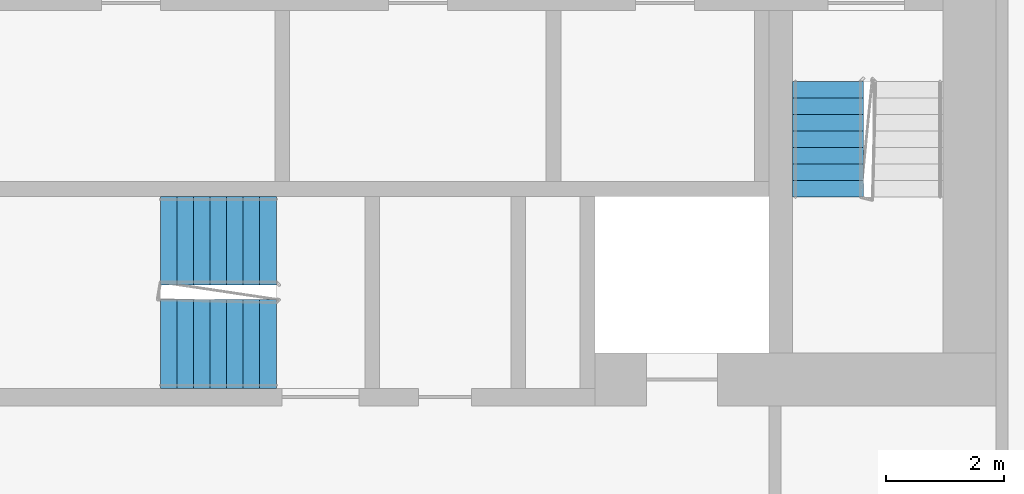
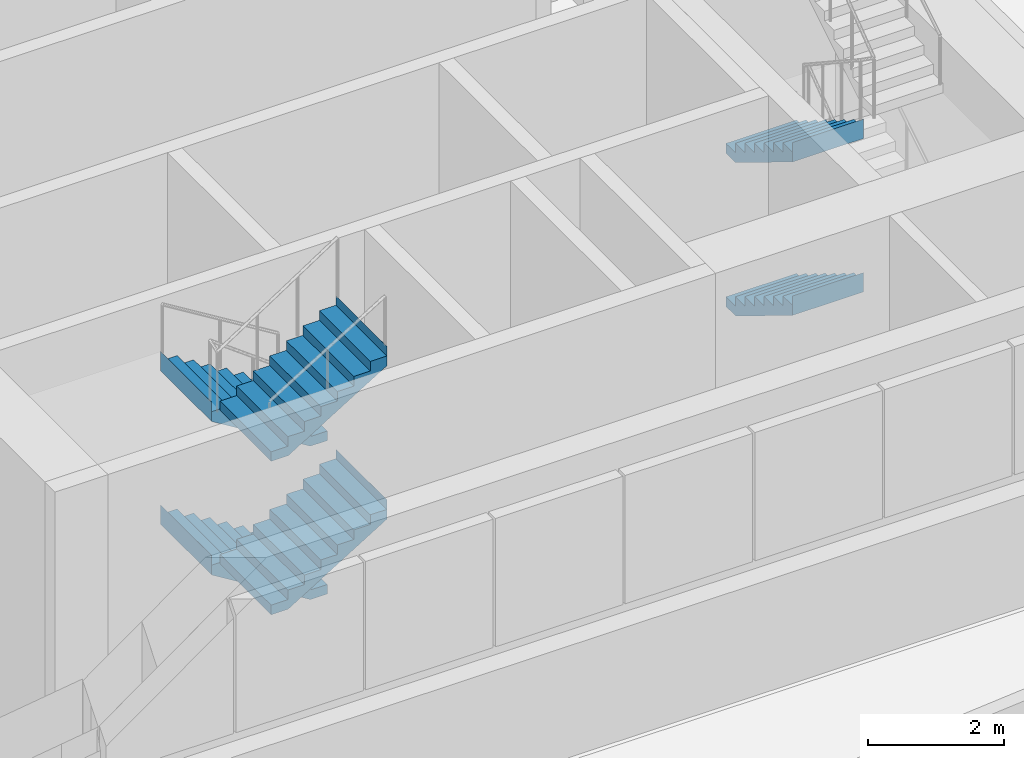
# One storey, part 11 of 16: 6 stair flights, 2 elements without a shape of their own.
"""IFC4 building model written with IfcOpenShell, lengths in metres."""

import ifcopenshell
import ifcopenshell.guid

model = None  # the IFC model being written
_history = None  # IfcOwnerHistory: only IFC2X3 demands one
_inside = {}  # id of a spatial element -> (the spatial element, [elements in it])
_under = {}  # id of a project, library or spatial element -> (it, [spatial elements below it])
_declared = {}  # id of a project -> (the project, [libraries it declares])
_typed = {}  # id of a type object -> (the type object, [elements of that type])
_made_of = {}  # id of a material, layer set ... -> (it, [elements and type objects made of it])


def new_model(schema):
    """Start an empty IFC model of exactly this schema.

    Asked for "IFC4X3", IfcOpenShell would pick the latest addendum, in which some entities
    have other attributes; the version numbers below select the first issue.
    IFC2X3 requires an IfcOwnerHistory on every rooted entity: one is made here for all.
    """
    global model, _history
    if schema == "IFC4X3":
        model = ifcopenshell.file(schema_version=(4, 3, 0, 0))
    else:
        model = ifcopenshell.file(schema=schema)
    _inside.clear()
    _under.clear()
    _declared.clear()
    _typed.clear()
    _made_of.clear()
    _history = None
    if model.schema == "IFC2X3":
        org = make("IfcOrganization", Name="unknown")
        user = make(
            "IfcPersonAndOrganization",
            ThePerson=make("IfcPerson", FamilyName="unknown"),
            TheOrganization=org,
        )
        app = make(
            "IfcApplication",
            ApplicationDeveloper=org,
            Version="unknown",
            ApplicationFullName="unknown",
            ApplicationIdentifier="unknown",
        )
        _history = make(
            "IfcOwnerHistory",
            OwningUser=user,
            OwningApplication=app,
            ChangeAction="ADDED",
            CreationDate=0,
        )
    return model


def make(cls, **values):
    """One entity of the class cls with the attributes given. An attribute that is None is left unset."""
    return model.create_entity(
        cls, **{name: value for name, value in values.items() if value is not None}
    )


def rooted(cls, **values):
    """An entity with a GlobalId (a new one), such as an element, a storey or a relation."""
    return make(cls, GlobalId=ifcopenshell.guid.new(), OwnerHistory=_history, **values)


def si_unit(unit_type, name, prefix=None):
    """IfcSIUnit, for example si_unit("LENGTHUNIT", "METRE", prefix="MILLI")."""
    return make("IfcSIUnit", UnitType=unit_type, Prefix=prefix, Name=name)


def assignment(units):
    """IfcUnitAssignment: the units of a project."""
    return None if units is None else make("IfcUnitAssignment", Units=units)


def point(xyz):
    """IfcCartesianPoint."""
    return None if xyz is None else make("IfcCartesianPoint", Coordinates=xyz)


def direction(xyz):
    """IfcDirection."""
    return None if xyz is None else make("IfcDirection", DirectionRatios=xyz)


def frame(location, z_axis=None, x_axis=None):
    """IfcAxis2Placement3D, a coordinate frame: its origin and axes. An axis left out is left unset."""
    return make(
        "IfcAxis2Placement3D",
        Location=point(location),
        Axis=direction(z_axis),
        RefDirection=direction(x_axis),
    )


def origin():
    """The frame at (0, 0, 0) with its axes left unset."""
    return frame((0.0, 0.0, 0.0))


def place(relative_to, where):
    """IfcLocalPlacement: puts the frame where relative to a parent placement (None: the world)."""
    return make(
        "IfcLocalPlacement", PlacementRelTo=relative_to, RelativePlacement=where
    )


def context(
    kind, dimensions, precision=None, world=None, true_north=None, identifier=None
):
    """IfcGeometricRepresentationContext, for example the 3D "Model" context."""
    return make(
        "IfcGeometricRepresentationContext",
        ContextIdentifier=identifier,
        ContextType=kind,
        CoordinateSpaceDimension=dimensions,
        Precision=precision,
        WorldCoordinateSystem=world,
        TrueNorth=true_north,
    )


def subcontext(parent, identifier, kind, view, scale=None):
    """IfcGeometricRepresentationSubContext, for example "Body" below "Model"."""
    return make(
        "IfcGeometricRepresentationSubContext",
        ContextIdentifier=identifier,
        ContextType=kind,
        ParentContext=parent,
        TargetScale=scale,
        TargetView=view,
    )


def project(units=None, contexts=None):
    """IfcProject with its units and contexts."""
    return rooted(
        "IfcProject",
        Name="project",
        RepresentationContexts=contexts,
        UnitsInContext=assignment(units),
    )


def spatial(cls, under=None, at=None, **own):
    """A site, building, storey or space (cls), placed at a placement, below another one or the project."""
    s = rooted(cls, ObjectPlacement=at, **own)
    if under is not None:
        _under.setdefault(under.id(), (under, []))[1].append(s)
    return s


def faces_of(points, faces, orient=None, outer=None):
    """IfcFace entities. A face is a list of loops; a loop is a list of indices into points, from 0.

    orient and outer hold one flag for each loop. By default every Orientation is true, the
    first loop of a face is its IfcFaceOuterBound and the others are IfcFaceBound.
    """
    made = []
    for i, loops in enumerate(faces):
        bounds = []
        for j, loop in enumerate(loops):
            is_outer = j == 0 if outer is None else outer[i][j]
            bounds.append(
                make(
                    "IfcFaceOuterBound" if is_outer else "IfcFaceBound",
                    Bound=make("IfcPolyLoop", Polygon=[points[k] for k in loop]),
                    Orientation=True if orient is None else orient[i][j],
                )
            )
        made.append(make("IfcFace", Bounds=bounds))
    return made


def faceted_brep(points, faces, orient=None, outer=None, voids=None):
    """IfcFacetedBrep: a solid bounded by flat faces; with voids (closed shells), ...WithVoids."""
    shared = [point(p) for p in points]
    hull = make("IfcClosedShell", CfsFaces=faces_of(shared, faces, orient, outer))
    if voids is None:
        return make("IfcFacetedBrep", Outer=hull)
    return make(
        "IfcFacetedBrepWithVoids",
        Outer=hull,
        Voids=[
            make(cls, CfsFaces=faces_of(shared, fs, o, b)) for cls, fs, o, b in voids
        ],
    )


def shape(context_of_items, identifier, shape_type, items):
    """IfcShapeRepresentation: the items that make up one representation, for example the "Body"."""
    return make(
        "IfcShapeRepresentation",
        ContextOfItems=context_of_items,
        RepresentationIdentifier=identifier,
        RepresentationType=shape_type,
        Items=items,
    )


def material(Name=None, Category=None):
    """IfcMaterial."""
    return make("IfcMaterial", Name=Name, Category=Category)


def made_of(thing, what):
    """Note that an element or type object is made of a material, layer set ...; save() writes the relation."""
    if what is not None:
        _made_of.setdefault(what.id(), (what, []))[1].append(thing)
    return thing


def type_object(cls, material=None, **own):
    """A type object (cls), such as IfcWallType, which elements share."""
    return made_of(rooted(cls, **own), material)


def element(
    cls,
    number,
    at=None,
    inside=None,
    cuts=None,
    type_object=None,
    material=None,
    context=None,
    identifier="Body",
    shape_type=None,
    held_by="IfcProductDefinitionShape",
    body=None,
    shapes=None,
    **own,
):
    """One element of the class cls, such as IfcWall. Its Tag is "e" and its number.

    at: its placement. inside: the storey or other place that contains it. cuts: it is an
    opening in that element (IfcRelVoidsElement). A single representation is given by context,
    identifier, shape_type and body (its items); several are given by shapes. held_by: the class
    of the entity that holds the representations. save() writes the other relations.
    """
    e = rooted(cls, Tag="e%d" % number, ObjectPlacement=at, **own)
    if body is not None:
        shapes = [shape(context, identifier, shape_type, body)]
    if shapes is not None:
        e.Representation = make(held_by, Representations=shapes)
    if inside is not None:
        _inside.setdefault(inside.id(), (inside, []))[1].append(e)
    if cuts is not None:
        rooted(
            "IfcRelVoidsElement", RelatingBuildingElement=cuts, RelatedOpeningElement=e
        )
    if type_object is not None:
        _typed.setdefault(type_object.id(), (type_object, []))[1].append(e)
    return made_of(e, material)


def aggregate(whole, parts):
    """IfcRelAggregates: a whole, such as a stair, and the parts it consists of."""
    return rooted("IfcRelAggregates", RelatingObject=whole, RelatedObjects=parts)


def save(model, path):
    """Write the relations noted so far, then the file.

    IfcRelAggregates (storeys below a building ...), IfcRelContainedInSpatialStructure (elements
    in a storey), IfcRelDefinesByType, IfcRelAssociatesMaterial and IfcRelDeclares: one each for
    every whole, place, type object, material and project.
    """
    for whole, parts in _under.values():
        aggregate(whole, parts)
    for where, things in _inside.values():
        rooted(
            "IfcRelContainedInSpatialStructure",
            RelatedElements=things,
            RelatingStructure=where,
        )
    for kind, things in _typed.values():
        rooted("IfcRelDefinesByType", RelatedObjects=things, RelatingType=kind)
    for what, things in _made_of.values():
        rooted("IfcRelAssociatesMaterial", RelatedObjects=things, RelatingMaterial=what)
    for by, libraries in _declared.values():
        rooted("IfcRelDeclares", RelatingContext=by, RelatedDefinitions=libraries)
    model.write(path)


model = new_model("IFC4")

# Units and contexts
model_context = context("Model", 3, precision=1e-05, world=origin(), true_north=direction((0.0, 1.0)))
body_context = subcontext(model_context, "Body", "Model", "MODEL_VIEW")
ifc_project = project(units=[si_unit("LENGTHUNIT", "METRE"), si_unit("AREAUNIT", "SQUARE_METRE"), si_unit("VOLUMEUNIT", "CUBIC_METRE"), si_unit("PLANEANGLEUNIT", "RADIAN"), si_unit("MASSUNIT", "GRAM", prefix="KILO")], contexts=[model_context])

# Site, building, storey
site_placement = place(None, origin())
site = spatial("IfcSite", under=ifc_project, at=site_placement, CompositionType="ELEMENT")
building_placement = place(site_placement, origin())
building = spatial("IfcBuilding", under=site, at=building_placement, Name="Kajstack Hotel Tower", CompositionType="ELEMENT")
storey_placement = place(building_placement, frame((0.0, 0.0, 308.10009765625)))
storey = spatial("IfcBuildingStorey", under=building, at=storey_placement, Name="L78", CompositionType="ELEMENT", Elevation=308.10009765625)

# Stair, stair flights
ifc_material = material(Name="Concrete C40/50", Category="concrete")
stair_type_1 = type_object("IfcStairType", Name="Exit stair 1200", PredefinedType="HALF_TURN_STAIR", material=ifc_material)
stair_1_placement = place(storey_placement, origin())
stair_1 = element("IfcStair", 1, at=stair_1_placement, inside=storey, type_object=stair_type_1, Name="L78 stair W2", PredefinedType="HALF_TURN_STAIR")
stair_flight_type_1 = type_object("IfcStairFlightType", Name="Exit stair flight 1200", PredefinedType="STRAIGHT", material=ifc_material)
stair_flight_1_placement = place(storey_placement, frame((-16.35009765625, -10.0, 0.0), z_axis=(0.0, 0.0, 1.0), x_axis=(0.0, -1.0, 0.0)))
stair_flight_1 = element("IfcStairFlight", 2, at=stair_flight_1_placement, type_object=stair_flight_type_1, Name="W2 flight 1", NumberOfRisers=8, NumberOfTreads=7, PredefinedType="STRAIGHT", RiserHeight=0.171875, TreadLength=0.28, context=body_context, shape_type="Brep", body=[
    faceted_brep([(0.287109375, -0.60009765625, 0.0), (1.96044921875, -0.60009765625, 1.02734375), (1.96044921875, -0.60009765625, 1.375), (1.9599609375, -0.60009765625, 1.375), (1.9599609375, -0.60009765625, 1.203125), (1.679931640625, -0.60009765625, 1.203125), (1.679931640625, -0.60009765625, 1.03125), (1.39990234375, -0.60009765625, 1.03125), (1.39990234375, -0.60009765625, 0.859375), (1.1201171875, -0.60009765625, 0.859375), (1.1201171875, -0.60009765625, 0.6875), (0.840087890625, -0.60009765625, 0.6875), (0.840087890625, -0.60009765625, 0.515625), (0.56005859375, -0.60009765625, 0.515625), (0.56005859375, -0.60009765625, 0.34375), (0.280029296875, -0.60009765625, 0.34375), (0.280029296875, -0.60009765625, 0.171875), (-0.00048828125, -0.60009765625, 0.171875), (-0.00048828125, -0.60009765625, 0.0), (-0.00048828125, 0.60009765625, 0.0), (-0.00048828125, 0.60009765625, 0.171875), (0.280029296875, 0.60009765625, 0.171875), (0.280029296875, 0.60009765625, 0.34375), (0.56005859375, 0.60009765625, 0.34375), (0.56005859375, 0.60009765625, 0.515625), (0.840087890625, 0.60009765625, 0.515625), (0.840087890625, 0.60009765625, 0.6875), (1.1201171875, 0.60009765625, 0.6875), (1.1201171875, 0.60009765625, 0.859375), (1.39990234375, 0.60009765625, 0.859375), (1.39990234375, 0.60009765625, 1.03125), (1.679931640625, 0.60009765625, 1.03125), (1.679931640625, 0.60009765625, 1.203125), (1.9599609375, 0.60009765625, 1.203125), (1.9599609375, 0.60009765625, 1.375), (1.96044921875, 0.60009765625, 1.375), (1.96044921875, 0.60009765625, 1.02734375), (0.287109375, 0.60009765625, 0.0), (-0.00048828125, -0.300048828125, 0.171875), (-0.00048828125, 0.0, 0.171875), (-0.00048828125, 0.300048828125, 0.171875), (-0.00048828125, 0.300048828125, 0.0), (-0.00048828125, 0.0, 0.0), (-0.00048828125, -0.300048828125, 0.0), (0.280029296875, -0.300048828125, 0.171875), (0.280029296875, 0.0, 0.171875), (0.280029296875, 0.300048828125, 0.171875), (0.280029296875, -0.300048828125, 0.34375), (0.280029296875, 0.0, 0.34375), (0.280029296875, 0.300048828125, 0.34375), (0.56005859375, -0.300048828125, 0.34375), (0.56005859375, 0.0, 0.34375), (0.56005859375, 0.300048828125, 0.34375), (0.56005859375, -0.300048828125, 0.515625), (0.56005859375, 0.0, 0.515625), (0.56005859375, 0.300048828125, 0.515625), (0.840087890625, -0.300048828125, 0.515625), (0.840087890625, 0.0, 0.515625), (0.840087890625, 0.300048828125, 0.515625), (0.840087890625, -0.300048828125, 0.6875), (0.840087890625, 0.0, 0.6875), (0.840087890625, 0.300048828125, 0.6875), (1.1201171875, -0.300048828125, 0.6875), (1.1201171875, 0.0, 0.6875), (1.1201171875, 0.300048828125, 0.6875), (1.1201171875, -0.300048828125, 0.859375), (1.1201171875, 0.0, 0.859375), (1.1201171875, 0.300048828125, 0.859375), (1.39990234375, -0.300048828125, 0.859375), (1.39990234375, 0.0, 0.859375), (1.39990234375, 0.300048828125, 0.859375), (1.39990234375, -0.300048828125, 1.03125), (1.39990234375, 0.0, 1.03125), (1.39990234375, 0.300048828125, 1.03125), (1.679931640625, -0.300048828125, 1.03125), (1.679931640625, 0.0, 1.03125), (1.679931640625, 0.300048828125, 1.03125), (1.679931640625, -0.300048828125, 1.203125), (1.679931640625, 0.0, 1.203125), (1.679931640625, 0.300048828125, 1.203125), (1.9599609375, -0.300048828125, 1.203125), (1.9599609375, 0.0, 1.203125), (1.9599609375, 0.300048828125, 1.203125), (1.9599609375, -0.300048828125, 1.375), (1.9599609375, 0.0, 1.375), (1.9599609375, 0.300048828125, 1.375), (1.96044921875, -0.300048828125, 1.375), (1.96044921875, 0.0, 1.375), (1.96044921875, 0.300048828125, 1.375), (1.96044921875, -0.300048828125, 1.02734375), (1.96044921875, 0.0, 1.02734375), (1.96044921875, 0.300048828125, 1.02734375), (0.287109375, -0.300048828125, 0.0), (0.287109375, 0.0, 0.0), (0.287109375, 0.300048828125, 0.0)], [[[0, 1, 2, 3, 4, 5, 6, 7, 8, 9, 10, 11, 12, 13, 14, 15, 16, 17, 18]], [[19, 20, 21, 22, 23, 24, 25, 26, 27, 28, 29, 30, 31, 32, 33, 34, 35, 36, 37]], [[17, 38, 39, 40, 20, 19, 41, 42, 43, 18]], [[16, 44, 45, 46, 21, 20, 40, 39, 38, 17]], [[15, 47, 48, 49, 22, 21, 46, 45, 44, 16]], [[14, 50, 51, 52, 23, 22, 49, 48, 47, 15]], [[13, 53, 54, 55, 24, 23, 52, 51, 50, 14]], [[12, 56, 57, 58, 25, 24, 55, 54, 53, 13]], [[11, 59, 60, 61, 26, 25, 58, 57, 56, 12]], [[10, 62, 63, 64, 27, 26, 61, 60, 59, 11]], [[9, 65, 66, 67, 28, 27, 64, 63, 62, 10]], [[8, 68, 69, 70, 29, 28, 67, 66, 65, 9]], [[7, 71, 72, 73, 30, 29, 70, 69, 68, 8]], [[6, 74, 75, 76, 31, 30, 73, 72, 71, 7]], [[5, 77, 78, 79, 32, 31, 76, 75, 74, 6]], [[4, 80, 81, 82, 33, 32, 79, 78, 77, 5]], [[3, 83, 84, 85, 34, 33, 82, 81, 80, 4]], [[2, 86, 87, 88, 35, 34, 85, 84, 83, 3]], [[1, 89, 90, 91, 36, 35, 88, 87, 86, 2]], [[0, 92, 93, 94, 37, 36, 91, 90, 89, 1]], [[18, 43, 42, 41, 19, 37, 94, 93, 92, 0]]]),
])
stair_flight_2_placement = place(storey_placement, frame((-16.35009765625, -10.0, 2.75), z_axis=(0.0, 0.0, 1.0), x_axis=(0.0, -1.0, 0.0)))
stair_flight_2 = element("IfcStairFlight", 3, at=stair_flight_2_placement, type_object=stair_flight_type_1, Name="W2 flight 3", NumberOfRisers=8, NumberOfTreads=7, PredefinedType="STRAIGHT", RiserHeight=0.171875, TreadLength=0.28, context=body_context, shape_type="Brep", body=[
    faceted_brep([(0.287109375, -0.60009765625, 0.0), (1.96044921875, -0.60009765625, 1.02734375), (1.96044921875, -0.60009765625, 1.375), (1.9599609375, -0.60009765625, 1.375), (1.9599609375, -0.60009765625, 1.203125), (1.679931640625, -0.60009765625, 1.203125), (1.679931640625, -0.60009765625, 1.03125), (1.39990234375, -0.60009765625, 1.03125), (1.39990234375, -0.60009765625, 0.859375), (1.1201171875, -0.60009765625, 0.859375), (1.1201171875, -0.60009765625, 0.6875), (0.840087890625, -0.60009765625, 0.6875), (0.840087890625, -0.60009765625, 0.515625), (0.56005859375, -0.60009765625, 0.515625), (0.56005859375, -0.60009765625, 0.34375), (0.280029296875, -0.60009765625, 0.34375), (0.280029296875, -0.60009765625, 0.171875), (-0.00048828125, -0.60009765625, 0.171875), (-0.00048828125, -0.60009765625, 0.0), (-0.00048828125, 0.60009765625, 0.0), (-0.00048828125, 0.60009765625, 0.171875), (0.280029296875, 0.60009765625, 0.171875), (0.280029296875, 0.60009765625, 0.34375), (0.56005859375, 0.60009765625, 0.34375), (0.56005859375, 0.60009765625, 0.515625), (0.840087890625, 0.60009765625, 0.515625), (0.840087890625, 0.60009765625, 0.6875), (1.1201171875, 0.60009765625, 0.6875), (1.1201171875, 0.60009765625, 0.859375), (1.39990234375, 0.60009765625, 0.859375), (1.39990234375, 0.60009765625, 1.03125), (1.679931640625, 0.60009765625, 1.03125), (1.679931640625, 0.60009765625, 1.203125), (1.9599609375, 0.60009765625, 1.203125), (1.9599609375, 0.60009765625, 1.375), (1.96044921875, 0.60009765625, 1.375), (1.96044921875, 0.60009765625, 1.02734375), (0.287109375, 0.60009765625, 0.0), (-0.00048828125, -0.300048828125, 0.171875), (-0.00048828125, 0.0, 0.171875), (-0.00048828125, 0.300048828125, 0.171875), (-0.00048828125, 0.300048828125, 0.0), (-0.00048828125, 0.0, 0.0), (-0.00048828125, -0.300048828125, 0.0), (0.280029296875, -0.300048828125, 0.171875), (0.280029296875, 0.0, 0.171875), (0.280029296875, 0.300048828125, 0.171875), (0.280029296875, -0.300048828125, 0.34375), (0.280029296875, 0.0, 0.34375), (0.280029296875, 0.300048828125, 0.34375), (0.56005859375, -0.300048828125, 0.34375), (0.56005859375, 0.0, 0.34375), (0.56005859375, 0.300048828125, 0.34375), (0.56005859375, -0.300048828125, 0.515625), (0.56005859375, 0.0, 0.515625), (0.56005859375, 0.300048828125, 0.515625), (0.840087890625, -0.300048828125, 0.515625), (0.840087890625, 0.0, 0.515625), (0.840087890625, 0.300048828125, 0.515625), (0.840087890625, -0.300048828125, 0.6875), (0.840087890625, 0.0, 0.6875), (0.840087890625, 0.300048828125, 0.6875), (1.1201171875, -0.300048828125, 0.6875), (1.1201171875, 0.0, 0.6875), (1.1201171875, 0.300048828125, 0.6875), (1.1201171875, -0.300048828125, 0.859375), (1.1201171875, 0.0, 0.859375), (1.1201171875, 0.300048828125, 0.859375), (1.39990234375, -0.300048828125, 0.859375), (1.39990234375, 0.0, 0.859375), (1.39990234375, 0.300048828125, 0.859375), (1.39990234375, -0.300048828125, 1.03125), (1.39990234375, 0.0, 1.03125), (1.39990234375, 0.300048828125, 1.03125), (1.679931640625, -0.300048828125, 1.03125), (1.679931640625, 0.0, 1.03125), (1.679931640625, 0.300048828125, 1.03125), (1.679931640625, -0.300048828125, 1.203125), (1.679931640625, 0.0, 1.203125), (1.679931640625, 0.300048828125, 1.203125), (1.9599609375, -0.300048828125, 1.203125), (1.9599609375, 0.0, 1.203125), (1.9599609375, 0.300048828125, 1.203125), (1.9599609375, -0.300048828125, 1.375), (1.9599609375, 0.0, 1.375), (1.9599609375, 0.300048828125, 1.375), (1.96044921875, -0.300048828125, 1.375), (1.96044921875, 0.0, 1.375), (1.96044921875, 0.300048828125, 1.375), (1.96044921875, -0.300048828125, 1.02734375), (1.96044921875, 0.0, 1.02734375), (1.96044921875, 0.300048828125, 1.02734375), (0.287109375, -0.300048828125, 0.0), (0.287109375, 0.0, 0.0), (0.287109375, 0.300048828125, 0.0)], [[[0, 1, 2, 3, 4, 5, 6, 7, 8, 9, 10, 11, 12, 13, 14, 15, 16, 17, 18]], [[19, 20, 21, 22, 23, 24, 25, 26, 27, 28, 29, 30, 31, 32, 33, 34, 35, 36, 37]], [[17, 38, 39, 40, 20, 19, 41, 42, 43, 18]], [[16, 44, 45, 46, 21, 20, 40, 39, 38, 17]], [[15, 47, 48, 49, 22, 21, 46, 45, 44, 16]], [[14, 50, 51, 52, 23, 22, 49, 48, 47, 15]], [[13, 53, 54, 55, 24, 23, 52, 51, 50, 14]], [[12, 56, 57, 58, 25, 24, 55, 54, 53, 13]], [[11, 59, 60, 61, 26, 25, 58, 57, 56, 12]], [[10, 62, 63, 64, 27, 26, 61, 60, 59, 11]], [[9, 65, 66, 67, 28, 27, 64, 63, 62, 10]], [[8, 68, 69, 70, 29, 28, 67, 66, 65, 9]], [[7, 71, 72, 73, 30, 29, 70, 69, 68, 8]], [[6, 74, 75, 76, 31, 30, 73, 72, 71, 7]], [[5, 77, 78, 79, 32, 31, 76, 75, 74, 6]], [[4, 80, 81, 82, 33, 32, 79, 78, 77, 5]], [[3, 83, 84, 85, 34, 33, 82, 81, 80, 4]], [[2, 86, 87, 88, 35, 34, 85, 84, 83, 3]], [[1, 89, 90, 91, 36, 35, 88, 87, 86, 2]], [[0, 92, 93, 94, 37, 36, 91, 90, 89, 1]], [[18, 43, 42, 41, 19, 37, 94, 93, 92, 0]]]),
])
aggregate(stair_1, [stair_flight_1, stair_flight_2])

stair_type_2 = type_object("IfcStairType", Name="Exit stair 1500", PredefinedType="HALF_TURN_STAIR", material=ifc_material)
stair_2_placement = place(storey_placement, origin())
stair_2 = element("IfcStair", 4, at=stair_2_placement, inside=storey, type_object=stair_type_2, Name="L78 stair W3", PredefinedType="HALF_TURN_STAIR")
stair_flight_type_2 = type_object("IfcStairFlightType", Name="Exit stair flight 1500", PredefinedType="STRAIGHT", material=ifc_material)
stair_flight_3_placement = place(storey_placement, frame((-25.699951171875, -12.699951171875, 0.0), z_axis=(0.0, 0.0, 1.0), x_axis=(-1.0, 0.0, 0.0)))
stair_flight_3 = element("IfcStairFlight", 5, at=stair_flight_3_placement, type_object=stair_flight_type_2, Name="W3 flight 1", NumberOfRisers=8, NumberOfTreads=7, PredefinedType="STRAIGHT", RiserHeight=0.171875, TreadLength=0.28, context=body_context, shape_type="Brep", body=[
    faceted_brep([(0.287109375, -0.75, 0.0), (1.96044921875, -0.75, 1.02734375), (1.96044921875, -0.75, 1.375), (1.9599609375, -0.75, 1.375), (1.9599609375, -0.75, 1.203125), (1.679931640625, -0.75, 1.203125), (1.679931640625, -0.75, 1.03125), (1.39990234375, -0.75, 1.03125), (1.39990234375, -0.75, 0.859375), (1.1201171875, -0.75, 0.859375), (1.1201171875, -0.75, 0.6875), (0.840087890625, -0.75, 0.6875), (0.840087890625, -0.75, 0.515625), (0.56005859375, -0.75, 0.515625), (0.56005859375, -0.75, 0.34375), (0.280029296875, -0.75, 0.34375), (0.280029296875, -0.75, 0.171875), (-0.00048828125, -0.75, 0.171875), (-0.00048828125, -0.75, 0.0), (-0.00048828125, 0.75, 0.0), (-0.00048828125, 0.75, 0.171875), (0.280029296875, 0.75, 0.171875), (0.280029296875, 0.75, 0.34375), (0.56005859375, 0.75, 0.34375), (0.56005859375, 0.75, 0.515625), (0.840087890625, 0.75, 0.515625), (0.840087890625, 0.75, 0.6875), (1.1201171875, 0.75, 0.6875), (1.1201171875, 0.75, 0.859375), (1.39990234375, 0.75, 0.859375), (1.39990234375, 0.75, 1.03125), (1.679931640625, 0.75, 1.03125), (1.679931640625, 0.75, 1.203125), (1.9599609375, 0.75, 1.203125), (1.9599609375, 0.75, 1.375), (1.96044921875, 0.75, 1.375), (1.96044921875, 0.75, 1.02734375), (0.287109375, 0.75, 0.0), (-0.00048828125, -0.375, 0.171875), (-0.00048828125, 0.0, 0.171875), (-0.00048828125, 0.375, 0.171875), (-0.00048828125, 0.375, 0.0), (-0.00048828125, 0.0, 0.0), (-0.00048828125, -0.375, 0.0), (0.280029296875, -0.375, 0.171875), (0.280029296875, 0.0, 0.171875), (0.280029296875, 0.375, 0.171875), (0.280029296875, -0.375, 0.34375), (0.280029296875, 0.0, 0.34375), (0.280029296875, 0.375, 0.34375), (0.56005859375, -0.375, 0.34375), (0.56005859375, 0.0, 0.34375), (0.56005859375, 0.375, 0.34375), (0.56005859375, -0.375, 0.515625), (0.56005859375, 0.0, 0.515625), (0.56005859375, 0.375, 0.515625), (0.840087890625, -0.375, 0.515625), (0.840087890625, 0.0, 0.515625), (0.840087890625, 0.375, 0.515625), (0.840087890625, -0.375, 0.6875), (0.840087890625, 0.0, 0.6875), (0.840087890625, 0.375, 0.6875), (1.1201171875, -0.375, 0.6875), (1.1201171875, 0.0, 0.6875), (1.1201171875, 0.375, 0.6875), (1.1201171875, -0.375, 0.859375), (1.1201171875, 0.0, 0.859375), (1.1201171875, 0.375, 0.859375), (1.39990234375, -0.375, 0.859375), (1.39990234375, 0.0, 0.859375), (1.39990234375, 0.375, 0.859375), (1.39990234375, -0.375, 1.03125), (1.39990234375, 0.0, 1.03125), (1.39990234375, 0.375, 1.03125), (1.679931640625, -0.375, 1.03125), (1.679931640625, 0.0, 1.03125), (1.679931640625, 0.375, 1.03125), (1.679931640625, -0.375, 1.203125), (1.679931640625, 0.0, 1.203125), (1.679931640625, 0.375, 1.203125), (1.9599609375, -0.375, 1.203125), (1.9599609375, 0.0, 1.203125), (1.9599609375, 0.375, 1.203125), (1.9599609375, -0.375, 1.375), (1.9599609375, 0.0, 1.375), (1.9599609375, 0.375, 1.375), (1.96044921875, -0.375, 1.375), (1.96044921875, 0.0, 1.375), (1.96044921875, 0.375, 1.375), (1.96044921875, -0.375, 1.02734375), (1.96044921875, 0.0, 1.02734375), (1.96044921875, 0.375, 1.02734375), (0.287109375, -0.375, 0.0), (0.287109375, 0.0, 0.0), (0.287109375, 0.375, 0.0)], [[[0, 1, 2, 3, 4, 5, 6, 7, 8, 9, 10, 11, 12, 13, 14, 15, 16, 17, 18]], [[19, 20, 21, 22, 23, 24, 25, 26, 27, 28, 29, 30, 31, 32, 33, 34, 35, 36, 37]], [[17, 38, 39, 40, 20, 19, 41, 42, 43, 18]], [[16, 44, 45, 46, 21, 20, 40, 39, 38, 17]], [[15, 47, 48, 49, 22, 21, 46, 45, 44, 16]], [[14, 50, 51, 52, 23, 22, 49, 48, 47, 15]], [[13, 53, 54, 55, 24, 23, 52, 51, 50, 14]], [[12, 56, 57, 58, 25, 24, 55, 54, 53, 13]], [[11, 59, 60, 61, 26, 25, 58, 57, 56, 12]], [[10, 62, 63, 64, 27, 26, 61, 60, 59, 11]], [[9, 65, 66, 67, 28, 27, 64, 63, 62, 10]], [[8, 68, 69, 70, 29, 28, 67, 66, 65, 9]], [[7, 71, 72, 73, 30, 29, 70, 69, 68, 8]], [[6, 74, 75, 76, 31, 30, 73, 72, 71, 7]], [[5, 77, 78, 79, 32, 31, 76, 75, 74, 6]], [[4, 80, 81, 82, 33, 32, 79, 78, 77, 5]], [[3, 83, 84, 85, 34, 33, 82, 81, 80, 4]], [[2, 86, 87, 88, 35, 34, 85, 84, 83, 3]], [[1, 89, 90, 91, 36, 35, 88, 87, 86, 2]], [[0, 92, 93, 94, 37, 36, 91, 90, 89, 1]], [[18, 43, 42, 41, 19, 37, 94, 93, 92, 0]]]),
])
stair_flight_4_placement = place(storey_placement, frame((-27.659912109375, -14.449951171875, 1.375), z_axis=(0.0, 0.0, 1.0), x_axis=(1.0, 0.0, 0.0)))
stair_flight_4 = element("IfcStairFlight", 6, at=stair_flight_4_placement, type_object=stair_flight_type_2, Name="W3 flight 2", NumberOfRisers=8, NumberOfTreads=7, PredefinedType="STRAIGHT", RiserHeight=0.171875, TreadLength=0.28, context=body_context, shape_type="Brep", body=[
    faceted_brep([(0.287109375, -0.75, 0.0), (1.96044921875, -0.75, 1.02734375), (1.96044921875, -0.75, 1.375), (1.9599609375, -0.75, 1.375), (1.9599609375, -0.75, 1.203125), (1.679931640625, -0.75, 1.203125), (1.679931640625, -0.75, 1.03125), (1.39990234375, -0.75, 1.03125), (1.39990234375, -0.75, 0.859375), (1.1201171875, -0.75, 0.859375), (1.1201171875, -0.75, 0.6875), (0.840087890625, -0.75, 0.6875), (0.840087890625, -0.75, 0.515625), (0.56005859375, -0.75, 0.515625), (0.56005859375, -0.75, 0.34375), (0.280029296875, -0.75, 0.34375), (0.280029296875, -0.75, 0.171875), (-0.00048828125, -0.75, 0.171875), (-0.00048828125, -0.75, 0.0), (-0.00048828125, 0.75, 0.0), (-0.00048828125, 0.75, 0.171875), (0.280029296875, 0.75, 0.171875), (0.280029296875, 0.75, 0.34375), (0.56005859375, 0.75, 0.34375), (0.56005859375, 0.75, 0.515625), (0.840087890625, 0.75, 0.515625), (0.840087890625, 0.75, 0.6875), (1.1201171875, 0.75, 0.6875), (1.1201171875, 0.75, 0.859375), (1.39990234375, 0.75, 0.859375), (1.39990234375, 0.75, 1.03125), (1.679931640625, 0.75, 1.03125), (1.679931640625, 0.75, 1.203125), (1.9599609375, 0.75, 1.203125), (1.9599609375, 0.75, 1.375), (1.96044921875, 0.75, 1.375), (1.96044921875, 0.75, 1.02734375), (0.287109375, 0.75, 0.0), (-0.00048828125, -0.375, 0.171875), (-0.00048828125, 0.0, 0.171875), (-0.00048828125, 0.375, 0.171875), (-0.00048828125, 0.375, 0.0), (-0.00048828125, 0.0, 0.0), (-0.00048828125, -0.375, 0.0), (0.280029296875, -0.375, 0.171875), (0.280029296875, 0.0, 0.171875), (0.280029296875, 0.375, 0.171875), (0.280029296875, -0.375, 0.34375), (0.280029296875, 0.0, 0.34375), (0.280029296875, 0.375, 0.34375), (0.56005859375, -0.375, 0.34375), (0.56005859375, 0.0, 0.34375), (0.56005859375, 0.375, 0.34375), (0.56005859375, -0.375, 0.515625), (0.56005859375, 0.0, 0.515625), (0.56005859375, 0.375, 0.515625), (0.840087890625, -0.375, 0.515625), (0.840087890625, 0.0, 0.515625), (0.840087890625, 0.375, 0.515625), (0.840087890625, -0.375, 0.6875), (0.840087890625, 0.0, 0.6875), (0.840087890625, 0.375, 0.6875), (1.1201171875, -0.375, 0.6875), (1.1201171875, 0.0, 0.6875), (1.1201171875, 0.375, 0.6875), (1.1201171875, -0.375, 0.859375), (1.1201171875, 0.0, 0.859375), (1.1201171875, 0.375, 0.859375), (1.39990234375, -0.375, 0.859375), (1.39990234375, 0.0, 0.859375), (1.39990234375, 0.375, 0.859375), (1.39990234375, -0.375, 1.03125), (1.39990234375, 0.0, 1.03125), (1.39990234375, 0.375, 1.03125), (1.679931640625, -0.375, 1.03125), (1.679931640625, 0.0, 1.03125), (1.679931640625, 0.375, 1.03125), (1.679931640625, -0.375, 1.203125), (1.679931640625, 0.0, 1.203125), (1.679931640625, 0.375, 1.203125), (1.9599609375, -0.375, 1.203125), (1.9599609375, 0.0, 1.203125), (1.9599609375, 0.375, 1.203125), (1.9599609375, -0.375, 1.375), (1.9599609375, 0.0, 1.375), (1.9599609375, 0.375, 1.375), (1.96044921875, -0.375, 1.375), (1.96044921875, 0.0, 1.375), (1.96044921875, 0.375, 1.375), (1.96044921875, -0.375, 1.02734375), (1.96044921875, 0.0, 1.02734375), (1.96044921875, 0.375, 1.02734375), (0.287109375, -0.375, 0.0), (0.287109375, 0.0, 0.0), (0.287109375, 0.375, 0.0)], [[[0, 1, 2, 3, 4, 5, 6, 7, 8, 9, 10, 11, 12, 13, 14, 15, 16, 17, 18]], [[19, 20, 21, 22, 23, 24, 25, 26, 27, 28, 29, 30, 31, 32, 33, 34, 35, 36, 37]], [[17, 38, 39, 40, 20, 19, 41, 42, 43, 18]], [[16, 44, 45, 46, 21, 20, 40, 39, 38, 17]], [[15, 47, 48, 49, 22, 21, 46, 45, 44, 16]], [[14, 50, 51, 52, 23, 22, 49, 48, 47, 15]], [[13, 53, 54, 55, 24, 23, 52, 51, 50, 14]], [[12, 56, 57, 58, 25, 24, 55, 54, 53, 13]], [[11, 59, 60, 61, 26, 25, 58, 57, 56, 12]], [[10, 62, 63, 64, 27, 26, 61, 60, 59, 11]], [[9, 65, 66, 67, 28, 27, 64, 63, 62, 10]], [[8, 68, 69, 70, 29, 28, 67, 66, 65, 9]], [[7, 71, 72, 73, 30, 29, 70, 69, 68, 8]], [[6, 74, 75, 76, 31, 30, 73, 72, 71, 7]], [[5, 77, 78, 79, 32, 31, 76, 75, 74, 6]], [[4, 80, 81, 82, 33, 32, 79, 78, 77, 5]], [[3, 83, 84, 85, 34, 33, 82, 81, 80, 4]], [[2, 86, 87, 88, 35, 34, 85, 84, 83, 3]], [[1, 89, 90, 91, 36, 35, 88, 87, 86, 2]], [[0, 92, 93, 94, 37, 36, 91, 90, 89, 1]], [[18, 43, 42, 41, 19, 37, 94, 93, 92, 0]]]),
])
stair_flight_5_placement = place(storey_placement, frame((-25.699951171875, -12.699951171875, 2.75), z_axis=(0.0, 0.0, 1.0), x_axis=(-1.0, 0.0, 0.0)))
stair_flight_5 = element("IfcStairFlight", 7, at=stair_flight_5_placement, type_object=stair_flight_type_2, Name="W3 flight 3", NumberOfRisers=8, NumberOfTreads=7, PredefinedType="STRAIGHT", RiserHeight=0.171875, TreadLength=0.28, context=body_context, shape_type="Brep", body=[
    faceted_brep([(0.287109375, -0.75, 0.0), (1.96044921875, -0.75, 1.02734375), (1.96044921875, -0.75, 1.375), (1.9599609375, -0.75, 1.375), (1.9599609375, -0.75, 1.203125), (1.679931640625, -0.75, 1.203125), (1.679931640625, -0.75, 1.03125), (1.39990234375, -0.75, 1.03125), (1.39990234375, -0.75, 0.859375), (1.1201171875, -0.75, 0.859375), (1.1201171875, -0.75, 0.6875), (0.840087890625, -0.75, 0.6875), (0.840087890625, -0.75, 0.515625), (0.56005859375, -0.75, 0.515625), (0.56005859375, -0.75, 0.34375), (0.280029296875, -0.75, 0.34375), (0.280029296875, -0.75, 0.171875), (-0.00048828125, -0.75, 0.171875), (-0.00048828125, -0.75, 0.0), (-0.00048828125, 0.75, 0.0), (-0.00048828125, 0.75, 0.171875), (0.280029296875, 0.75, 0.171875), (0.280029296875, 0.75, 0.34375), (0.56005859375, 0.75, 0.34375), (0.56005859375, 0.75, 0.515625), (0.840087890625, 0.75, 0.515625), (0.840087890625, 0.75, 0.6875), (1.1201171875, 0.75, 0.6875), (1.1201171875, 0.75, 0.859375), (1.39990234375, 0.75, 0.859375), (1.39990234375, 0.75, 1.03125), (1.679931640625, 0.75, 1.03125), (1.679931640625, 0.75, 1.203125), (1.9599609375, 0.75, 1.203125), (1.9599609375, 0.75, 1.375), (1.96044921875, 0.75, 1.375), (1.96044921875, 0.75, 1.02734375), (0.287109375, 0.75, 0.0), (-0.00048828125, -0.375, 0.171875), (-0.00048828125, 0.0, 0.171875), (-0.00048828125, 0.375, 0.171875), (-0.00048828125, 0.375, 0.0), (-0.00048828125, 0.0, 0.0), (-0.00048828125, -0.375, 0.0), (0.280029296875, -0.375, 0.171875), (0.280029296875, 0.0, 0.171875), (0.280029296875, 0.375, 0.171875), (0.280029296875, -0.375, 0.34375), (0.280029296875, 0.0, 0.34375), (0.280029296875, 0.375, 0.34375), (0.56005859375, -0.375, 0.34375), (0.56005859375, 0.0, 0.34375), (0.56005859375, 0.375, 0.34375), (0.56005859375, -0.375, 0.515625), (0.56005859375, 0.0, 0.515625), (0.56005859375, 0.375, 0.515625), (0.840087890625, -0.375, 0.515625), (0.840087890625, 0.0, 0.515625), (0.840087890625, 0.375, 0.515625), (0.840087890625, -0.375, 0.6875), (0.840087890625, 0.0, 0.6875), (0.840087890625, 0.375, 0.6875), (1.1201171875, -0.375, 0.6875), (1.1201171875, 0.0, 0.6875), (1.1201171875, 0.375, 0.6875), (1.1201171875, -0.375, 0.859375), (1.1201171875, 0.0, 0.859375), (1.1201171875, 0.375, 0.859375), (1.39990234375, -0.375, 0.859375), (1.39990234375, 0.0, 0.859375), (1.39990234375, 0.375, 0.859375), (1.39990234375, -0.375, 1.03125), (1.39990234375, 0.0, 1.03125), (1.39990234375, 0.375, 1.03125), (1.679931640625, -0.375, 1.03125), (1.679931640625, 0.0, 1.03125), (1.679931640625, 0.375, 1.03125), (1.679931640625, -0.375, 1.203125), (1.679931640625, 0.0, 1.203125), (1.679931640625, 0.375, 1.203125), (1.9599609375, -0.375, 1.203125), (1.9599609375, 0.0, 1.203125), (1.9599609375, 0.375, 1.203125), (1.9599609375, -0.375, 1.375), (1.9599609375, 0.0, 1.375), (1.9599609375, 0.375, 1.375), (1.96044921875, -0.375, 1.375), (1.96044921875, 0.0, 1.375), (1.96044921875, 0.375, 1.375), (1.96044921875, -0.375, 1.02734375), (1.96044921875, 0.0, 1.02734375), (1.96044921875, 0.375, 1.02734375), (0.287109375, -0.375, 0.0), (0.287109375, 0.0, 0.0), (0.287109375, 0.375, 0.0)], [[[0, 1, 2, 3, 4, 5, 6, 7, 8, 9, 10, 11, 12, 13, 14, 15, 16, 17, 18]], [[19, 20, 21, 22, 23, 24, 25, 26, 27, 28, 29, 30, 31, 32, 33, 34, 35, 36, 37]], [[17, 38, 39, 40, 20, 19, 41, 42, 43, 18]], [[16, 44, 45, 46, 21, 20, 40, 39, 38, 17]], [[15, 47, 48, 49, 22, 21, 46, 45, 44, 16]], [[14, 50, 51, 52, 23, 22, 49, 48, 47, 15]], [[13, 53, 54, 55, 24, 23, 52, 51, 50, 14]], [[12, 56, 57, 58, 25, 24, 55, 54, 53, 13]], [[11, 59, 60, 61, 26, 25, 58, 57, 56, 12]], [[10, 62, 63, 64, 27, 26, 61, 60, 59, 11]], [[9, 65, 66, 67, 28, 27, 64, 63, 62, 10]], [[8, 68, 69, 70, 29, 28, 67, 66, 65, 9]], [[7, 71, 72, 73, 30, 29, 70, 69, 68, 8]], [[6, 74, 75, 76, 31, 30, 73, 72, 71, 7]], [[5, 77, 78, 79, 32, 31, 76, 75, 74, 6]], [[4, 80, 81, 82, 33, 32, 79, 78, 77, 5]], [[3, 83, 84, 85, 34, 33, 82, 81, 80, 4]], [[2, 86, 87, 88, 35, 34, 85, 84, 83, 3]], [[1, 89, 90, 91, 36, 35, 88, 87, 86, 2]], [[0, 92, 93, 94, 37, 36, 91, 90, 89, 1]], [[18, 43, 42, 41, 19, 37, 94, 93, 92, 0]]]),
])
stair_flight_6_placement = place(storey_placement, frame((-27.659912109375, -14.449951171875, 4.125), z_axis=(0.0, 0.0, 1.0), x_axis=(1.0, 0.0, 0.0)))
stair_flight_6 = element("IfcStairFlight", 8, at=stair_flight_6_placement, type_object=stair_flight_type_2, Name="W3 flight 4", NumberOfRisers=8, NumberOfTreads=7, PredefinedType="STRAIGHT", RiserHeight=0.171875, TreadLength=0.28, context=body_context, shape_type="Brep", body=[
    faceted_brep([(0.287109375, -0.75, 0.0), (1.96044921875, -0.75, 1.02734375), (1.96044921875, -0.75, 1.375), (1.9599609375, -0.75, 1.375), (1.9599609375, -0.75, 1.203125), (1.679931640625, -0.75, 1.203125), (1.679931640625, -0.75, 1.03125), (1.39990234375, -0.75, 1.03125), (1.39990234375, -0.75, 0.859375), (1.1201171875, -0.75, 0.859375), (1.1201171875, -0.75, 0.6875), (0.840087890625, -0.75, 0.6875), (0.840087890625, -0.75, 0.515625), (0.56005859375, -0.75, 0.515625), (0.56005859375, -0.75, 0.34375), (0.280029296875, -0.75, 0.34375), (0.280029296875, -0.75, 0.171875), (-0.00048828125, -0.75, 0.171875), (-0.00048828125, -0.75, 0.0), (-0.00048828125, 0.75, 0.0), (-0.00048828125, 0.75, 0.171875), (0.280029296875, 0.75, 0.171875), (0.280029296875, 0.75, 0.34375), (0.56005859375, 0.75, 0.34375), (0.56005859375, 0.75, 0.515625), (0.840087890625, 0.75, 0.515625), (0.840087890625, 0.75, 0.6875), (1.1201171875, 0.75, 0.6875), (1.1201171875, 0.75, 0.859375), (1.39990234375, 0.75, 0.859375), (1.39990234375, 0.75, 1.03125), (1.679931640625, 0.75, 1.03125), (1.679931640625, 0.75, 1.203125), (1.9599609375, 0.75, 1.203125), (1.9599609375, 0.75, 1.375), (1.96044921875, 0.75, 1.375), (1.96044921875, 0.75, 1.02734375), (0.287109375, 0.75, 0.0), (-0.00048828125, -0.375, 0.171875), (-0.00048828125, 0.0, 0.171875), (-0.00048828125, 0.375, 0.171875), (-0.00048828125, 0.375, 0.0), (-0.00048828125, 0.0, 0.0), (-0.00048828125, -0.375, 0.0), (0.280029296875, -0.375, 0.171875), (0.280029296875, 0.0, 0.171875), (0.280029296875, 0.375, 0.171875), (0.280029296875, -0.375, 0.34375), (0.280029296875, 0.0, 0.34375), (0.280029296875, 0.375, 0.34375), (0.56005859375, -0.375, 0.34375), (0.56005859375, 0.0, 0.34375), (0.56005859375, 0.375, 0.34375), (0.56005859375, -0.375, 0.515625), (0.56005859375, 0.0, 0.515625), (0.56005859375, 0.375, 0.515625), (0.840087890625, -0.375, 0.515625), (0.840087890625, 0.0, 0.515625), (0.840087890625, 0.375, 0.515625), (0.840087890625, -0.375, 0.6875), (0.840087890625, 0.0, 0.6875), (0.840087890625, 0.375, 0.6875), (1.1201171875, -0.375, 0.6875), (1.1201171875, 0.0, 0.6875), (1.1201171875, 0.375, 0.6875), (1.1201171875, -0.375, 0.859375), (1.1201171875, 0.0, 0.859375), (1.1201171875, 0.375, 0.859375), (1.39990234375, -0.375, 0.859375), (1.39990234375, 0.0, 0.859375), (1.39990234375, 0.375, 0.859375), (1.39990234375, -0.375, 1.03125), (1.39990234375, 0.0, 1.03125), (1.39990234375, 0.375, 1.03125), (1.679931640625, -0.375, 1.03125), (1.679931640625, 0.0, 1.03125), (1.679931640625, 0.375, 1.03125), (1.679931640625, -0.375, 1.203125), (1.679931640625, 0.0, 1.203125), (1.679931640625, 0.375, 1.203125), (1.9599609375, -0.375, 1.203125), (1.9599609375, 0.0, 1.203125), (1.9599609375, 0.375, 1.203125), (1.9599609375, -0.375, 1.375), (1.9599609375, 0.0, 1.375), (1.9599609375, 0.375, 1.375), (1.96044921875, -0.375, 1.375), (1.96044921875, 0.0, 1.375), (1.96044921875, 0.375, 1.375), (1.96044921875, -0.375, 1.02734375), (1.96044921875, 0.0, 1.02734375), (1.96044921875, 0.375, 1.02734375), (0.287109375, -0.375, 0.0), (0.287109375, 0.0, 0.0), (0.287109375, 0.375, 0.0)], [[[0, 1, 2, 3, 4, 5, 6, 7, 8, 9, 10, 11, 12, 13, 14, 15, 16, 17, 18]], [[19, 20, 21, 22, 23, 24, 25, 26, 27, 28, 29, 30, 31, 32, 33, 34, 35, 36, 37]], [[17, 38, 39, 40, 20, 19, 41, 42, 43, 18]], [[16, 44, 45, 46, 21, 20, 40, 39, 38, 17]], [[15, 47, 48, 49, 22, 21, 46, 45, 44, 16]], [[14, 50, 51, 52, 23, 22, 49, 48, 47, 15]], [[13, 53, 54, 55, 24, 23, 52, 51, 50, 14]], [[12, 56, 57, 58, 25, 24, 55, 54, 53, 13]], [[11, 59, 60, 61, 26, 25, 58, 57, 56, 12]], [[10, 62, 63, 64, 27, 26, 61, 60, 59, 11]], [[9, 65, 66, 67, 28, 27, 64, 63, 62, 10]], [[8, 68, 69, 70, 29, 28, 67, 66, 65, 9]], [[7, 71, 72, 73, 30, 29, 70, 69, 68, 8]], [[6, 74, 75, 76, 31, 30, 73, 72, 71, 7]], [[5, 77, 78, 79, 32, 31, 76, 75, 74, 6]], [[4, 80, 81, 82, 33, 32, 79, 78, 77, 5]], [[3, 83, 84, 85, 34, 33, 82, 81, 80, 4]], [[2, 86, 87, 88, 35, 34, 85, 84, 83, 3]], [[1, 89, 90, 91, 36, 35, 88, 87, 86, 2]], [[0, 92, 93, 94, 37, 36, 91, 90, 89, 1]], [[18, 43, 42, 41, 19, 37, 94, 93, 92, 0]]]),
])
aggregate(stair_2, [stair_flight_3, stair_flight_4, stair_flight_5, stair_flight_6])

save(model, "model.ifc")
